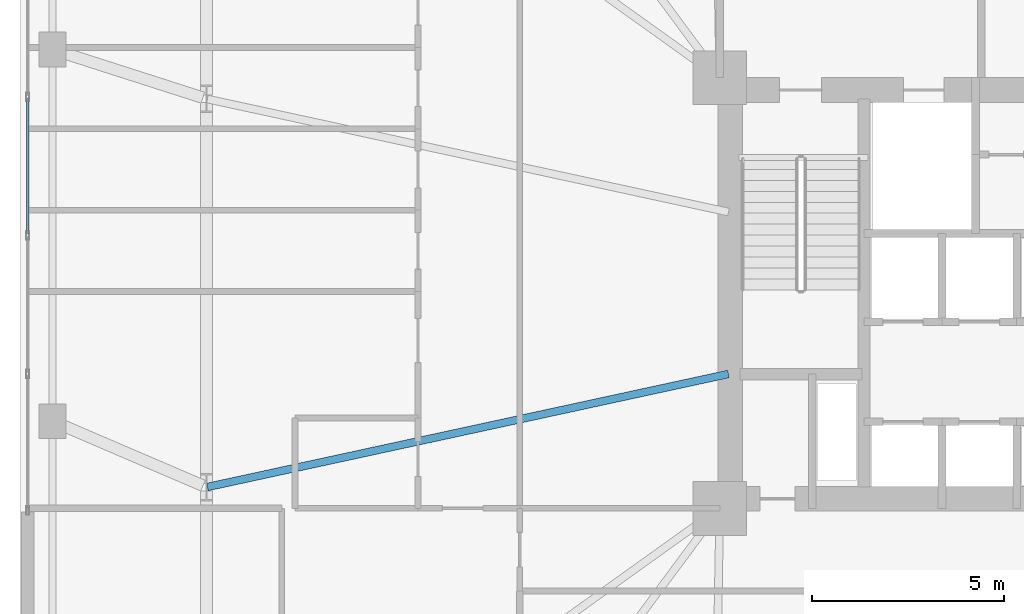
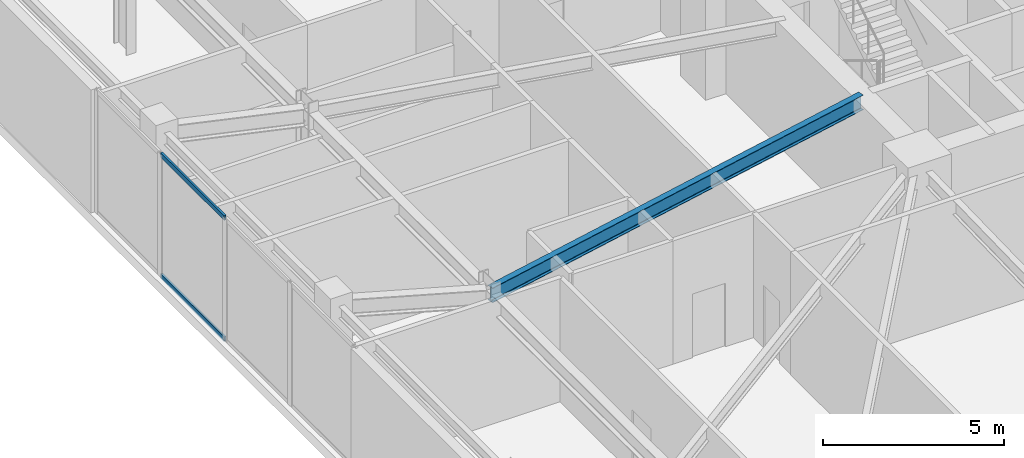
# One storey, part 6 of 21: 2 members, 1 beam, 1 element without a shape of its own.
"""IFC4 building model written with IfcOpenShell, lengths in metres."""

from ifc_helpers import new_model, si_unit, direction, frame, origin, origin_2d, place, context, subcontext, project, spatial, hollow_rectangle, i_section, extrude, material, layer, layer_set, material_profile, profile_set, type_object, element, aggregate, save


model = new_model("IFC4")

# Units and contexts
model_context = context("Model", 3, precision=1e-05, world=origin(), true_north=direction((0.0, 1.0)))
body_context = subcontext(model_context, "Body", "Model", "MODEL_VIEW")
ifc_project = project(units=[si_unit("LENGTHUNIT", "METRE"), si_unit("AREAUNIT", "SQUARE_METRE"), si_unit("VOLUMEUNIT", "CUBIC_METRE"), si_unit("PLANEANGLEUNIT", "RADIAN"), si_unit("MASSUNIT", "GRAM", prefix="KILO")], contexts=[model_context])

# Site, building, storey
site_placement = place(None, origin())
site = spatial("IfcSite", under=ifc_project, at=site_placement, CompositionType="ELEMENT")
building_placement = place(site_placement, origin())
building = spatial("IfcBuilding", under=site, at=building_placement, Name="Qobustan Lattice House", CompositionType="ELEMENT")
storey_placement = place(building_placement, frame((0.0, 0.0, 22.5)))
storey = spatial("IfcBuildingStorey", under=building, at=storey_placement, Name="L05", CompositionType="ELEMENT", Elevation=22.5)

# Beam
ifc_material_1 = material(Name="Steel S355", Category="steel")
ifc_material_profile_1 = material_profile(ifc_material_1, i_section(OverallWidth=0.199951171875, OverallDepth=0.5, WebThickness=0.01025390625, FlangeThickness=0.01611328125, FilletRadius=0.02099609375, at=origin_2d()), Name="IPE500")
ifc_profile_set_1 = profile_set([ifc_material_profile_1], Name="Steel S355")
beam_type = type_object("IfcBeamType", Name="BM-FLG-IPE500", PredefinedType="USERDEFINED", material=ifc_profile_set_1)
beam_placement = place(storey_placement, frame((-32.12548828125, -5.044677734375, 3.909912109375), z_axis=(0.97727240275, 0.211987383643, 0.0), x_axis=(-0.211987383643, 0.97727240275, 0.0)))
element("IfcBeam", 1, at=beam_placement, inside=storey, type_object=beam_type, Name="L05 primary floor girder RAD-W3", ObjectType="GIRDER", PredefinedType="USERDEFINED", context=body_context, shape_type="SweptSolid", body=[
    extrude(i_section(OverallWidth=0.199951171875, OverallDepth=0.5, WebThickness=0.01025390625, FlangeThickness=0.01611328125, FilletRadius=0.02099609375, at=origin_2d()), origin(), (0.0, 0.0, 1.0), 13.8662109375),
])

# Curtain wall, members
ifc_material_2 = material(Name="Anodised aluminium and low-E glazing", Category="aluminium")
ifc_layer = layer(ifc_material_2, 0.219970703125)
ifc_layer_set = layer_set([ifc_layer], Name="Anodised aluminium and low-E glazing")
curtain_wall_type = type_object("IfcCurtainWallType", Name="CW-POD-01", PredefinedType="USERDEFINED", material=ifc_layer_set)
curtain_wall_placement = place(storey_placement, origin())
curtain_wall = element("IfcCurtainWall", 2, at=curtain_wall_placement, inside=storey, type_object=curtain_wall_type, Name="L05 W podium colonnade curtain wall", ObjectType="CURTAIN WALL", PredefinedType="USERDEFINED")
ifc_material_3 = material(Name="Anodised aluminium EN AW-6063 T6", Category="aluminium")
ifc_material_profile_2 = material_profile(ifc_material_3, hollow_rectangle(XDim=0.06494140625, YDim=0.159912109375, WallThickness=0.00390625, at=origin_2d()), Name="CWT-160x65")
ifc_profile_set_2 = profile_set([ifc_material_profile_2], Name="Anodised aluminium EN AW-6063 T6")
member_type = type_object("IfcMemberType", Name="CWT-HOR-160", PredefinedType="USERDEFINED", material=ifc_profile_set_2)
member_1_placement = place(storey_placement, frame((-36.800048828125, 1.5400390625, 0.032470703125), z_axis=(0.0, 1.0, 0.0), x_axis=(-1.0, 0.0, 0.0)))
member_1 = element("IfcMember", 3, at=member_1_placement, type_object=member_type, Name="CW-P1 transom 3.1", ObjectType="TRANSOM", PredefinedType="USERDEFINED", context=body_context, shape_type="SweptSolid", body=[
    extrude(hollow_rectangle(XDim=0.06494140625, YDim=0.159912109375, WallThickness=0.00390625, at=origin_2d()), origin(), (0.0, 0.0, 1.0), 3.52001953125),
])
member_2_placement = place(storey_placement, frame((-36.800048828125, 1.5400390625, 4.12744140625), z_axis=(0.0, 1.0, 0.0), x_axis=(-1.0, 0.0, 0.0)))
member_2 = element("IfcMember", 4, at=member_2_placement, type_object=member_type, Name="CW-P1 transom 3.2", ObjectType="TRANSOM", PredefinedType="USERDEFINED", context=body_context, shape_type="SweptSolid", body=[
    extrude(hollow_rectangle(XDim=0.06494140625, YDim=0.159912109375, WallThickness=0.00390625, at=origin_2d()), origin(), (0.0, 0.0, 1.0), 3.52001953125),
])
aggregate(curtain_wall, [member_1, member_2])

save(model, "model.ifc")
